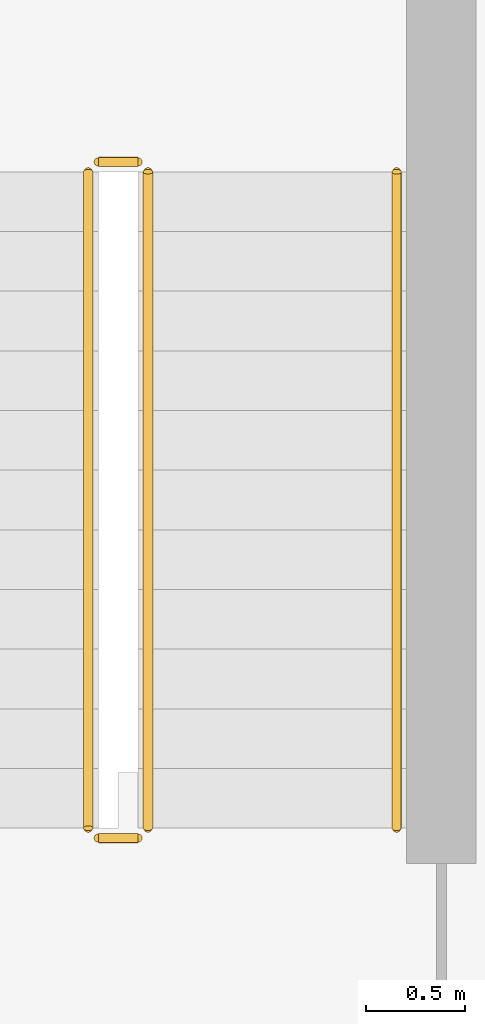
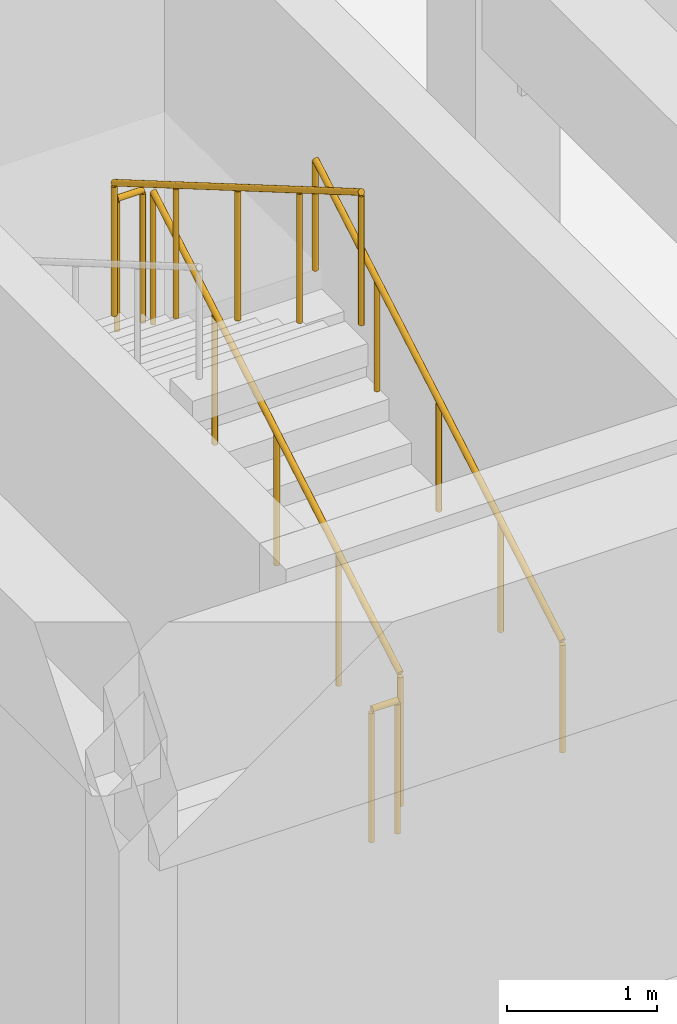
# One storey, part 131 of 134: 5 railings.
"""IFC4 building model written with IfcOpenShell, lengths in metres."""

from ifc_helpers import new_model, si_unit, direction, frame, origin, origin_2d, place, context, subcontext, project, spatial, circle, extrude, material, type_object, element, save


model = new_model("IFC4")

# Units and contexts
model_context = context("Model", 3, precision=1e-05, world=origin(), true_north=direction((0.0, 1.0)))
body_context = subcontext(model_context, "Body", "Model", "MODEL_VIEW")
ifc_project = project(units=[si_unit("LENGTHUNIT", "METRE"), si_unit("AREAUNIT", "SQUARE_METRE"), si_unit("VOLUMEUNIT", "CUBIC_METRE"), si_unit("PLANEANGLEUNIT", "RADIAN"), si_unit("MASSUNIT", "GRAM", prefix="KILO")], contexts=[model_context])

# Site, building, storey
site_placement = place(None, origin())
site = spatial("IfcSite", under=ifc_project, at=site_placement, CompositionType="ELEMENT")
building_placement = place(site_placement, origin())
building = spatial("IfcBuilding", under=site, at=building_placement, Name="Karori Crest Natural Sciences Institute", CompositionType="ELEMENT")
storey_placement = place(building_placement, frame((0.0, 0.0, 21.699951171875)))
storey = spatial("IfcBuildingStorey", under=building, at=storey_placement, Name="L05", CompositionType="ELEMENT", Elevation=21.699951171875)

# Railings
ifc_material_1 = material(Name="Stainless steel 316 tubular handrail", Category="steel")
railing_type_1 = type_object("IfcRailingType", Name="RLT-HND", PredefinedType="HANDRAIL", material=ifc_material_1)
railing_1_placement = place(storey_placement, frame((12.050048828125, 97.300048828125, 0.175048828125)))
element("IfcRailing", 1, at=railing_1_placement, inside=storey, type_object=railing_type_1, Name="Stair handrail RL-0267", PredefinedType="HANDRAIL", context=body_context, shape_type="SweptSolid", body=[
    extrude(circle(Radius=0.02392578125, at=origin_2d()), frame((0.0, 0.0, 0.90087890625), z_axis=(0.0, 0.863776583165, 0.503874998761), x_axis=(-1.0, 0.0, 0.0)), (0.0, 0.0, 1.0), 3.820556640625),
    extrude(circle(Radius=0.02099609375, at=origin_2d()), origin(), (0.0, 0.0, 1.0), 0.876953125),
    extrude(circle(Radius=0.02099609375, at=origin_2d()), frame((0.0, 0.824951171875, 0.481201171875)), (0.0, 0.0, 1.0), 0.876953125),
    extrude(circle(Radius=0.02099609375, at=origin_2d()), frame((0.0, 1.64990234375, 0.96240234375)), (0.0, 0.0, 1.0), 0.876953125),
    extrude(circle(Radius=0.02099609375, at=origin_2d()), frame((0.0, 2.47509765625, 1.44384765625)), (0.0, 0.0, 1.0), 0.876953125),
    extrude(circle(Radius=0.02099609375, at=origin_2d()), frame((0.0, 3.300048828125, 1.925048828125)), (0.0, 0.0, 1.0), 0.876953125),
])
ifc_material_2 = material(Name="Stainless steel 316 stair guard", Category="steel")
railing_type_2 = type_object("IfcRailingType", Name="RLT-STG", PredefinedType="GUARDRAIL", material=ifc_material_2)
railing_2_placement = place(storey_placement, frame((10.800048828125, 97.300048828125, 0.175048828125)))
element("IfcRailing", 2, at=railing_2_placement, inside=storey, type_object=railing_type_2, Name="Stair guard RL-0263", PredefinedType="GUARDRAIL", context=body_context, shape_type="SweptSolid", body=[
    extrude(circle(Radius=0.02392578125, at=origin_2d()), frame((0.0, 0.0, 1.076171875), z_axis=(0.0, 0.863776583165, 0.503874998761), x_axis=(-1.0, 0.0, 0.0)), (0.0, 0.0, 1.0), 3.820556640625),
    extrude(circle(Radius=0.02099609375, at=origin_2d()), origin(), (0.0, 0.0, 1.0), 1.052001953125),
    extrude(circle(Radius=0.02099609375, at=origin_2d()), frame((0.0, 0.824951171875, 0.481201171875)), (0.0, 0.0, 1.0), 1.052001953125),
    extrude(circle(Radius=0.02099609375, at=origin_2d()), frame((0.0, 1.64990234375, 0.96240234375)), (0.0, 0.0, 1.0), 1.052001953125),
    extrude(circle(Radius=0.02099609375, at=origin_2d()), frame((0.0, 2.47509765625, 1.44384765625)), (0.0, 0.0, 1.0), 1.052001953125),
    extrude(circle(Radius=0.02099609375, at=origin_2d()), frame((0.0, 3.300048828125, 1.925048828125)), (0.0, 0.0, 1.0), 1.052001953125),
])
railing_3_placement = place(storey_placement, frame((10.75, 100.64990234375, 2.10009765625)))
element("IfcRailing", 3, at=railing_3_placement, inside=storey, type_object=railing_type_2, Name="Stair guard RL-0264", PredefinedType="GUARDRAIL", context=body_context, shape_type="SweptSolid", body=[
    extrude(circle(Radius=0.02392578125, at=origin_2d()), frame((0.0, 0.0, 1.076171875), z_axis=(-1.0, 0.0, 0.0), x_axis=(0.0, -1.0, 0.0)), (0.0, 0.0, 1.0), 0.199951171875),
    extrude(circle(Radius=0.02099609375, at=origin_2d()), origin(), (0.0, 0.0, 1.0), 1.052001953125),
    extrude(circle(Radius=0.02099609375, at=origin_2d()), frame((-0.199951171875, 0.0, 0.0)), (0.0, 0.0, 1.0), 1.052001953125),
])
railing_4_placement = place(storey_placement, frame((10.5, 100.60009765625, 2.275146484375)))
element("IfcRailing", 4, at=railing_4_placement, inside=storey, type_object=railing_type_2, Name="Stair guard RL-0265", PredefinedType="GUARDRAIL", context=body_context, shape_type="SweptSolid", body=[
    extrude(circle(Radius=0.02392578125, at=origin_2d()), frame((0.0, 0.0, 1.076171875), z_axis=(0.0, -0.863804395585, 0.503827317807), x_axis=(1.0, 0.0, 0.0)), (0.0, 0.0, 1.0), 3.8203125),
    extrude(circle(Radius=0.02099609375, at=origin_2d()), origin(), (0.0, 0.0, 1.0), 1.052001953125),
    extrude(circle(Radius=0.02099609375, at=origin_2d()), frame((0.0, -0.824951171875, 0.481201171875)), (0.0, 0.0, 1.0), 1.052001953125),
    extrude(circle(Radius=0.02099609375, at=origin_2d()), frame((0.0, -1.64990234375, 0.96240234375)), (0.0, 0.0, 1.0), 1.052001953125),
    extrude(circle(Radius=0.02099609375, at=origin_2d()), frame((0.0, -2.47509765625, 1.443603515625)), (0.0, 0.0, 1.0), 1.052001953125),
    extrude(circle(Radius=0.02099609375, at=origin_2d()), frame((0.0, -3.300048828125, 1.9248046875)), (0.0, 0.0, 1.0), 1.052001953125),
])
railing_5_placement = place(storey_placement, frame((10.75, 97.25, 0.0)))
element("IfcRailing", 5, at=railing_5_placement, inside=storey, type_object=railing_type_2, Name="Stair guard RL-0266", PredefinedType="GUARDRAIL", context=body_context, shape_type="SweptSolid", body=[
    extrude(circle(Radius=0.02392578125, at=origin_2d()), frame((0.0, 0.0, 1.076171875), z_axis=(-1.0, 0.0, 0.0), x_axis=(0.0, -1.0, 0.0)), (0.0, 0.0, 1.0), 0.199951171875),
    extrude(circle(Radius=0.02099609375, at=origin_2d()), origin(), (0.0, 0.0, 1.0), 1.052001953125),
    extrude(circle(Radius=0.02099609375, at=origin_2d()), frame((-0.199951171875, 0.0, 0.0)), (0.0, 0.0, 1.0), 1.052001953125),
])

save(model, "model.ifc")
